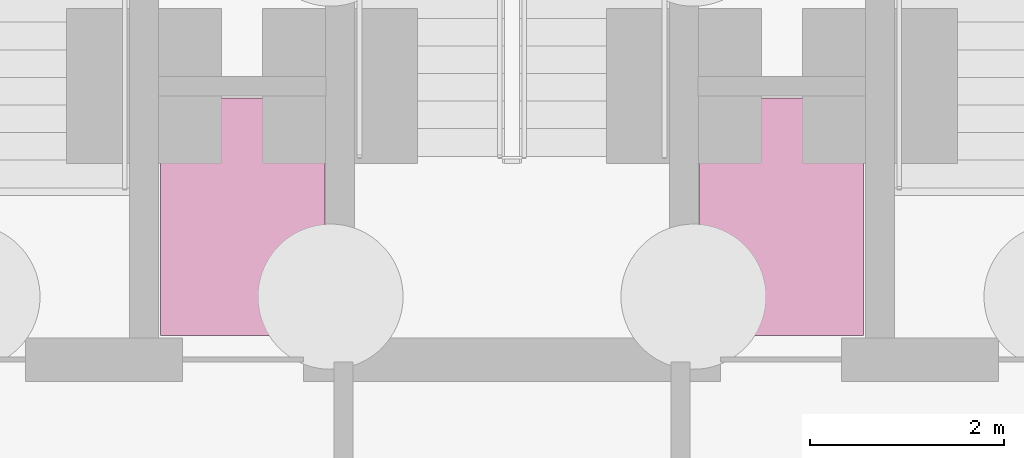
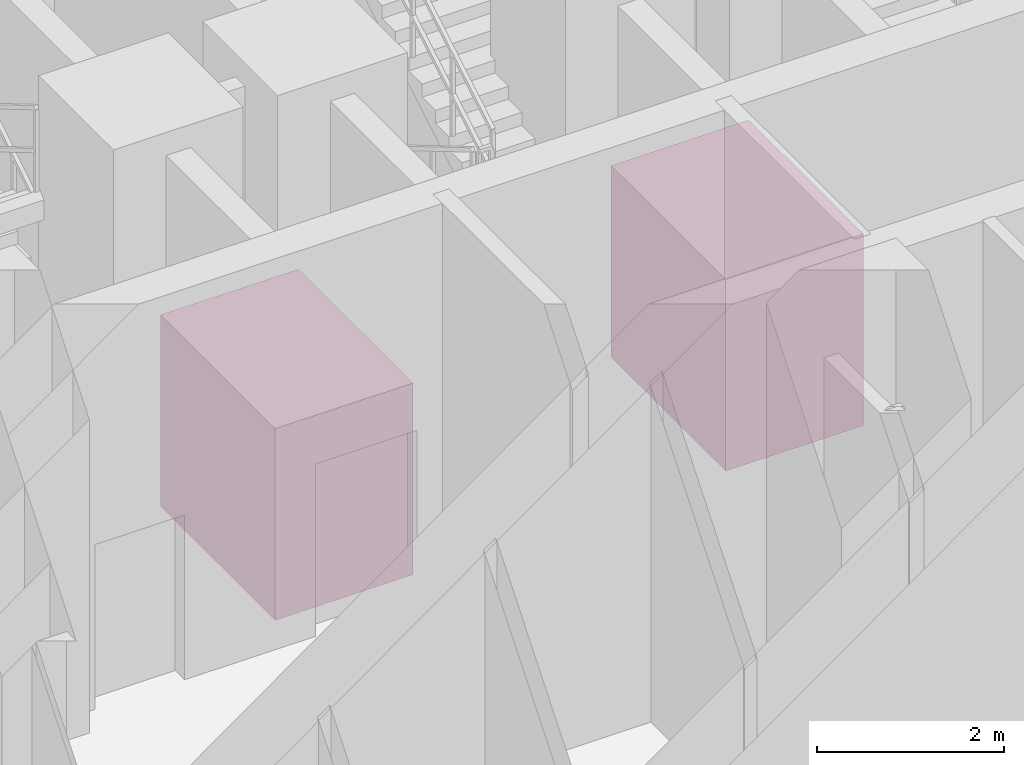
# One storey, part 8 of 8: 2 transport elements.
"""IFC4 building model written with IfcOpenShell, lengths in metres."""

from ifc_helpers import new_model, si_unit, direction, frame, origin, origin_2d, place, context, subcontext, project, spatial, rectangle, extrude, material, type_object, element, save


model = new_model("IFC4")

# Units and contexts
model_context = context("Model", 3, precision=1e-05, world=origin(), true_north=direction((0.0, 1.0)))
body_context = subcontext(model_context, "Body", "Model", "MODEL_VIEW")
ifc_project = project(units=[si_unit("LENGTHUNIT", "METRE"), si_unit("AREAUNIT", "SQUARE_METRE"), si_unit("VOLUMEUNIT", "CUBIC_METRE"), si_unit("PLANEANGLEUNIT", "RADIAN"), si_unit("MASSUNIT", "GRAM", prefix="KILO")], contexts=[model_context])

# Site, building, storey
site_placement = place(None, origin())
site = spatial("IfcSite", under=ifc_project, at=site_placement, CompositionType="ELEMENT")
building_placement = place(site_placement, origin())
building = spatial("IfcBuilding", under=site, at=building_placement, Name="Apsidion Concourse Tower", CompositionType="ELEMENT")
storey_placement = place(building_placement, frame((0.0, 0.0, -5.39990234375)))
storey = spatial("IfcBuildingStorey", under=building, at=storey_placement, Name="B01", CompositionType="ELEMENT", Elevation=-5.39990234375)

# Transport elements
ifc_material = material(Name="Brushed stainless steel 316", Category="steel")
transport_element_type = type_object("IfcTransportElementType", Name="LF-CAR-FSAE", PredefinedType="ELEVATOR", material=ifc_material)
for number, where, z_axis, x_axis, name in (
    (1, (-2.780029296875, 2.699951171875, 0.0), (0.0, 0.0, 1.0), (1.0, 0.0, 0.0), "Firefighting Service Lift FF1"),
    (2, (2.780029296875, 2.699951171875, 0.0), (0.0, 0.0, 1.0), (1.0, 0.0, 0.0), "Firefighting Service Lift FF2"),
):
    element("IfcTransportElement", number, at=place(storey_placement, frame(where, z_axis=z_axis, x_axis=x_axis)), inside=storey, type_object=transport_element_type, Name=name, PredefinedType="ELEVATOR", context=body_context, shape_type="SweptSolid", body=[
        extrude(rectangle(XDim=1.699951171875, YDim=2.449951171875, at=origin_2d()), origin(), (0.0, 0.0, 1.0), 2.5),
    ])

save(model, "model.ifc")
